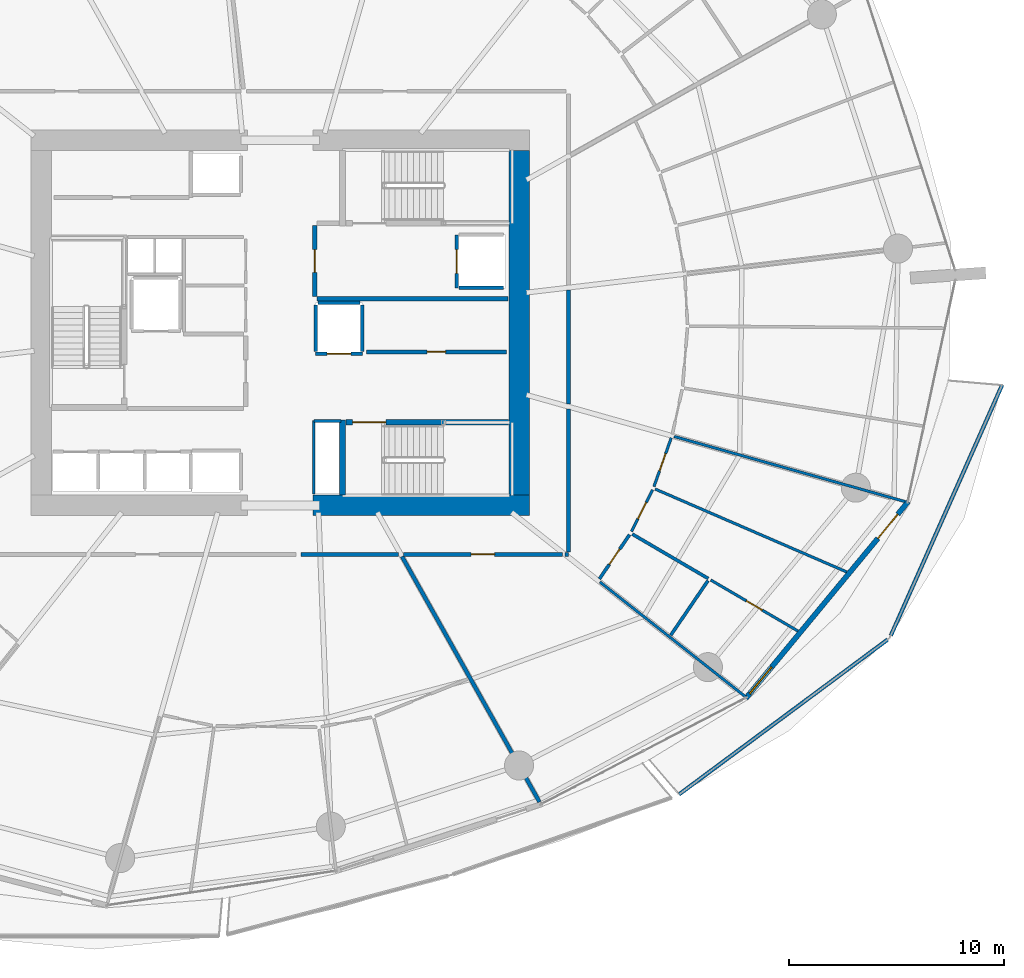
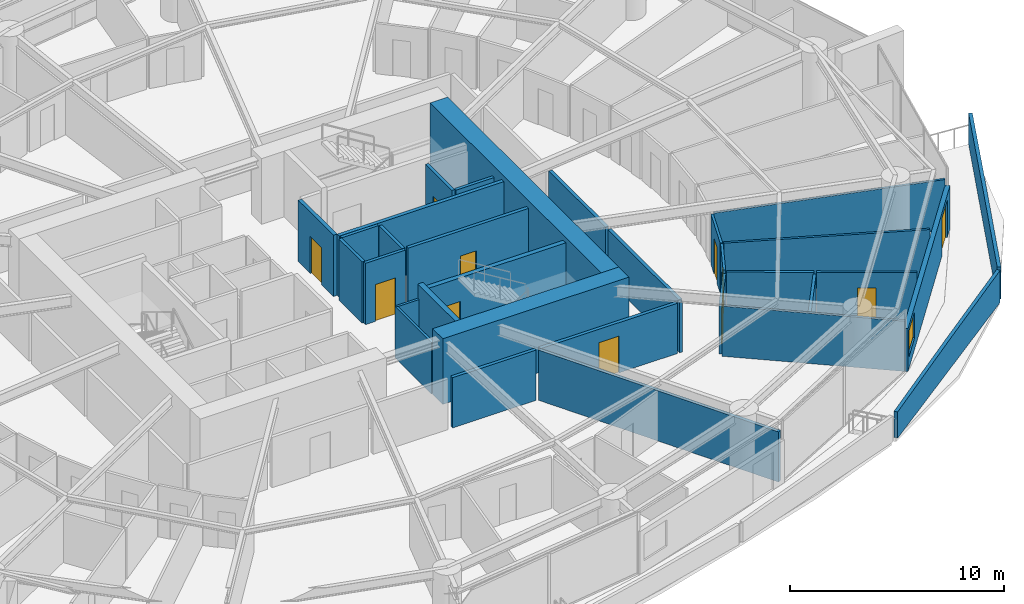
# One storey, part 21 of 31: 33 walls, 11 doors, 1 window, 12 openings.
"""IFC4 building model written with IfcOpenShell, lengths in metres."""

import ifcopenshell
import ifcopenshell.guid

model = None  # the IFC model being written
_history = None  # IfcOwnerHistory: only IFC2X3 demands one
_inside = {}  # id of a spatial element -> (the spatial element, [elements in it])
_under = {}  # id of a project, library or spatial element -> (it, [spatial elements below it])
_declared = {}  # id of a project -> (the project, [libraries it declares])
_typed = {}  # id of a type object -> (the type object, [elements of that type])
_made_of = {}  # id of a material, layer set ... -> (it, [elements and type objects made of it])


def new_model(schema):
    """Start an empty IFC model of exactly this schema.

    Asked for "IFC4X3", IfcOpenShell would pick the latest addendum, in which some entities
    have other attributes; the version numbers below select the first issue.
    IFC2X3 requires an IfcOwnerHistory on every rooted entity: one is made here for all.
    """
    global model, _history
    if schema == "IFC4X3":
        model = ifcopenshell.file(schema_version=(4, 3, 0, 0))
    else:
        model = ifcopenshell.file(schema=schema)
    _inside.clear()
    _under.clear()
    _declared.clear()
    _typed.clear()
    _made_of.clear()
    _history = None
    if model.schema == "IFC2X3":
        org = make("IfcOrganization", Name="unknown")
        user = make(
            "IfcPersonAndOrganization",
            ThePerson=make("IfcPerson", FamilyName="unknown"),
            TheOrganization=org,
        )
        app = make(
            "IfcApplication",
            ApplicationDeveloper=org,
            Version="unknown",
            ApplicationFullName="unknown",
            ApplicationIdentifier="unknown",
        )
        _history = make(
            "IfcOwnerHistory",
            OwningUser=user,
            OwningApplication=app,
            ChangeAction="ADDED",
            CreationDate=0,
        )
    return model


def make(cls, **values):
    """One entity of the class cls with the attributes given. An attribute that is None is left unset."""
    return model.create_entity(
        cls, **{name: value for name, value in values.items() if value is not None}
    )


def rooted(cls, **values):
    """An entity with a GlobalId (a new one), such as an element, a storey or a relation."""
    return make(cls, GlobalId=ifcopenshell.guid.new(), OwnerHistory=_history, **values)


def si_unit(unit_type, name, prefix=None):
    """IfcSIUnit, for example si_unit("LENGTHUNIT", "METRE", prefix="MILLI")."""
    return make("IfcSIUnit", UnitType=unit_type, Prefix=prefix, Name=name)


def assignment(units):
    """IfcUnitAssignment: the units of a project."""
    return None if units is None else make("IfcUnitAssignment", Units=units)


def point(xyz):
    """IfcCartesianPoint."""
    return None if xyz is None else make("IfcCartesianPoint", Coordinates=xyz)


def direction(xyz):
    """IfcDirection."""
    return None if xyz is None else make("IfcDirection", DirectionRatios=xyz)


def frame(location, z_axis=None, x_axis=None):
    """IfcAxis2Placement3D, a coordinate frame: its origin and axes. An axis left out is left unset."""
    return make(
        "IfcAxis2Placement3D",
        Location=point(location),
        Axis=direction(z_axis),
        RefDirection=direction(x_axis),
    )


def frame_2d(location, x_axis=None):
    """IfcAxis2Placement2D, a coordinate frame in the plane: its origin and x axis."""
    return make(
        "IfcAxis2Placement2D", Location=point(location), RefDirection=direction(x_axis)
    )


def origin():
    """The frame at (0, 0, 0) with its axes left unset."""
    return frame((0.0, 0.0, 0.0))


def place(relative_to, where):
    """IfcLocalPlacement: puts the frame where relative to a parent placement (None: the world)."""
    return make(
        "IfcLocalPlacement", PlacementRelTo=relative_to, RelativePlacement=where
    )


def context(
    kind, dimensions, precision=None, world=None, true_north=None, identifier=None
):
    """IfcGeometricRepresentationContext, for example the 3D "Model" context."""
    return make(
        "IfcGeometricRepresentationContext",
        ContextIdentifier=identifier,
        ContextType=kind,
        CoordinateSpaceDimension=dimensions,
        Precision=precision,
        WorldCoordinateSystem=world,
        TrueNorth=true_north,
    )


def subcontext(parent, identifier, kind, view, scale=None):
    """IfcGeometricRepresentationSubContext, for example "Body" below "Model"."""
    return make(
        "IfcGeometricRepresentationSubContext",
        ContextIdentifier=identifier,
        ContextType=kind,
        ParentContext=parent,
        TargetScale=scale,
        TargetView=view,
    )


def project(units=None, contexts=None):
    """IfcProject with its units and contexts."""
    return rooted(
        "IfcProject",
        Name="project",
        RepresentationContexts=contexts,
        UnitsInContext=assignment(units),
    )


def spatial(cls, under=None, at=None, **own):
    """A site, building, storey or space (cls), placed at a placement, below another one or the project."""
    s = rooted(cls, ObjectPlacement=at, **own)
    if under is not None:
        _under.setdefault(under.id(), (under, []))[1].append(s)
    return s


def polyline(points):
    """IfcPolyline through the points."""
    return make("IfcPolyline", Points=[point(p) for p in points])


def profile(cls, at=None, kind="AREA", **sizes):
    """A parametric profile (cls). Its sizes go by their IFC names, for example OverallWidth=200.0."""
    return make(cls, ProfileType=kind, Position=at, **sizes)


def rectangle(**sizes):
    """IfcRectangleProfileDef."""
    return profile("IfcRectangleProfileDef", **sizes)


def outline(outer, holes=None, kind="AREA"):
    """IfcArbitraryClosedProfileDef: a profile drawn as a closed curve; with holes, ...WithVoids."""
    if holes is None:
        return make("IfcArbitraryClosedProfileDef", ProfileType=kind, OuterCurve=outer)
    return make(
        "IfcArbitraryProfileDefWithVoids",
        ProfileType=kind,
        OuterCurve=outer,
        InnerCurves=holes,
    )


def extrude(swept, where, along, depth):
    """IfcExtrudedAreaSolid: the profile swept, set in the frame where, extruded along a direction by depth."""
    return make(
        "IfcExtrudedAreaSolid",
        SweptArea=swept,
        Position=where,
        ExtrudedDirection=direction(along),
        Depth=depth,
    )


def shape(context_of_items, identifier, shape_type, items):
    """IfcShapeRepresentation: the items that make up one representation, for example the "Body"."""
    return make(
        "IfcShapeRepresentation",
        ContextOfItems=context_of_items,
        RepresentationIdentifier=identifier,
        RepresentationType=shape_type,
        Items=items,
    )


def material(Name=None, Category=None):
    """IfcMaterial."""
    return make("IfcMaterial", Name=Name, Category=Category)


def layer(
    of_material, thickness, ventilated=None, Name=None, Category=None, Priority=None
):
    """IfcMaterialLayer: one layer of a wall or slab, of a material (None: an air gap)."""
    return make(
        "IfcMaterialLayer",
        Material=of_material,
        LayerThickness=thickness,
        IsVentilated=ventilated,
        Name=Name,
        Category=Category,
        Priority=Priority,
    )


def layer_set(layers, Name=None):
    """IfcMaterialLayerSet."""
    return make("IfcMaterialLayerSet", MaterialLayers=layers, LayerSetName=Name)


def made_of(thing, what):
    """Note that an element or type object is made of a material, layer set ...; save() writes the relation."""
    if what is not None:
        _made_of.setdefault(what.id(), (what, []))[1].append(thing)
    return thing


def type_object(cls, material=None, **own):
    """A type object (cls), such as IfcWallType, which elements share."""
    return made_of(rooted(cls, **own), material)


def element(
    cls,
    number,
    at=None,
    inside=None,
    cuts=None,
    type_object=None,
    material=None,
    context=None,
    identifier="Body",
    shape_type=None,
    held_by="IfcProductDefinitionShape",
    body=None,
    shapes=None,
    **own,
):
    """One element of the class cls, such as IfcWall. Its Tag is "e" and its number.

    at: its placement. inside: the storey or other place that contains it. cuts: it is an
    opening in that element (IfcRelVoidsElement). A single representation is given by context,
    identifier, shape_type and body (its items); several are given by shapes. held_by: the class
    of the entity that holds the representations. save() writes the other relations.
    """
    e = rooted(cls, Tag="e%d" % number, ObjectPlacement=at, **own)
    if body is not None:
        shapes = [shape(context, identifier, shape_type, body)]
    if shapes is not None:
        e.Representation = make(held_by, Representations=shapes)
    if inside is not None:
        _inside.setdefault(inside.id(), (inside, []))[1].append(e)
    if cuts is not None:
        rooted(
            "IfcRelVoidsElement", RelatingBuildingElement=cuts, RelatedOpeningElement=e
        )
    if type_object is not None:
        _typed.setdefault(type_object.id(), (type_object, []))[1].append(e)
    return made_of(e, material)


def fill(opening, filler):
    """IfcRelFillsElement: the door or window that sits in an opening."""
    return rooted(
        "IfcRelFillsElement",
        RelatingOpeningElement=opening,
        RelatedBuildingElement=filler,
    )


def aggregate(whole, parts):
    """IfcRelAggregates: a whole, such as a stair, and the parts it consists of."""
    return rooted("IfcRelAggregates", RelatingObject=whole, RelatedObjects=parts)


def save(model, path):
    """Write the relations noted so far, then the file.

    IfcRelAggregates (storeys below a building ...), IfcRelContainedInSpatialStructure (elements
    in a storey), IfcRelDefinesByType, IfcRelAssociatesMaterial and IfcRelDeclares: one each for
    every whole, place, type object, material and project.
    """
    for whole, parts in _under.values():
        aggregate(whole, parts)
    for where, things in _inside.values():
        rooted(
            "IfcRelContainedInSpatialStructure",
            RelatedElements=things,
            RelatingStructure=where,
        )
    for kind, things in _typed.values():
        rooted("IfcRelDefinesByType", RelatedObjects=things, RelatingType=kind)
    for what, things in _made_of.values():
        rooted("IfcRelAssociatesMaterial", RelatedObjects=things, RelatingMaterial=what)
    for by, libraries in _declared.values():
        rooted("IfcRelDeclares", RelatingContext=by, RelatedDefinitions=libraries)
    model.write(path)


model = new_model("IFC4")

# Units and contexts
model_context = context("Model", 3, precision=1e-05, world=origin(), true_north=direction((0.0, 1.0)))
body_context = subcontext(model_context, "Body", "Model", "MODEL_VIEW")
ifc_project = project(units=[si_unit("LENGTHUNIT", "METRE"), si_unit("AREAUNIT", "SQUARE_METRE"), si_unit("VOLUMEUNIT", "CUBIC_METRE"), si_unit("PLANEANGLEUNIT", "RADIAN"), si_unit("MASSUNIT", "GRAM", prefix="KILO")], contexts=[model_context])

# Site, building, storey
site_placement = place(None, origin())
site = spatial("IfcSite", under=ifc_project, at=site_placement, CompositionType="ELEMENT")
building_placement = place(site_placement, origin())
building = spatial("IfcBuilding", under=site, at=building_placement, Name="Kazma Halo Residences", CompositionType="ELEMENT")
storey_placement = place(building_placement, frame((0.0, 0.0, 60.14990234375)))
storey = spatial("IfcBuildingStorey", under=building, at=storey_placement, Name="L14", CompositionType="ELEMENT", Elevation=60.14990234375)

# Walls
ifc_material_1 = material(Name="White Concrete C50/60 Balustrade", Category="concrete")
ifc_layer_1 = layer(ifc_material_1, 0.179931640625)
ifc_layer_set_1 = layer_set([ifc_layer_1], Name="White Concrete C50/60 Balustrade")
wall_type_1 = type_object("IfcWallType", Name="WL-BAL-WAVE-180", PredefinedType="PARAPET", material=ifc_layer_set_1)
wall_1_placement = place(storey_placement, frame((66.93310546875, 20.1044921875, 0.0), z_axis=(0.0, 0.0, 1.0), x_axis=(0.802947764501, 0.596049400204, 0.0)))
element("IfcWall", 1, at=wall_1_placement, inside=storey, type_object=wall_type_1, Name="L14 white wave balustrade wall SE.1", PredefinedType="PARAPET", context=body_context, shape_type="SweptSolid", body=[
    extrude(outline(polyline([(0.0, 0.0), (12.0654296875, 0.0), (12.065673828125, 1.83203125), (6.03271484375, 1.696044921875), (0.0, 1.4970703125), (0.0, 0.0)])), frame((0.0, 0.08984375, 0.0), z_axis=(0.0, -1.0, 0.0), x_axis=(1.0, 0.0, 0.0)), (0.0, 0.0, 1.0), 0.179931640625),
])
wall_2_placement = place(storey_placement, frame((76.76611328125, 27.477294921875, 0.0), z_axis=(0.0, 0.0, 1.0), x_axis=(0.405953542593, 0.91389371442, 0.0)))
element("IfcWall", 2, at=wall_2_placement, inside=storey, type_object=wall_type_1, Name="L14 white wave balustrade wall SE.2", PredefinedType="PARAPET", context=body_context, shape_type="SweptSolid", body=[
    extrude(outline(polyline([(0.0, 0.0), (12.739990234375, 0.0), (12.739990234375, 1.756103515625), (6.3701171875, 1.85302734375), (0.0, 1.83203125), (0.0, 0.0)])), frame((0.0, 0.08984375, 0.0), z_axis=(0.0, -1.0, 0.0), x_axis=(1.0, 0.0, 0.0)), (0.0, 0.0, 1.0), 0.179931640625),
])
ifc_material_2 = material(Name="Concrete C80/95", Category="concrete")
ifc_layer_2 = layer(ifc_material_2, 0.949951171875)
ifc_layer_set_2 = layer_set([ifc_layer_2], Name="Concrete C80/95")
wall_type_2 = type_object("IfcWallType", Name="WL-CORE-950", PredefinedType="SHEAR", material=ifc_layer_set_2)
wall_3_placement = place(storey_placement, frame((49.949951171875, 33.52490234375, 0.0), z_axis=(0.0, 0.0, 1.0), x_axis=(1.0, 0.0, 0.0)))
element("IfcWall", 3, at=wall_3_placement, inside=storey, type_object=wall_type_2, Name="L14 central core shear wall SE", PredefinedType="SHEAR", context=body_context, shape_type="SweptSolid", body=[
    extrude(rectangle(XDim=10.050048828125, YDim=0.949951171875, at=frame_2d((5.02490234375, 0.0))), origin(), (0.0, 0.0, 1.0), 3.75),
])
wall_4_placement = place(storey_placement, frame((59.52490234375, 34.0, 0.0), z_axis=(0.0, 0.0, 1.0), x_axis=(0.0, 1.0, 0.0)))
element("IfcWall", 4, at=wall_4_placement, inside=storey, type_object=wall_type_2, Name="L14 central core shear wall E", PredefinedType="SHEAR", context=body_context, shape_type="SweptSolid", body=[
    extrude(rectangle(XDim=16.0, YDim=0.949951171875, at=frame_2d((8.0, 0.0))), origin(), (0.0, 0.0, 1.0), 3.75),
])
ifc_material_3 = material(Name="Concrete C60/75", Category="concrete")
ifc_layer_3 = layer(ifc_material_3, 0.280029296875)
ifc_layer_set_3 = layer_set([ifc_layer_3], Name="Concrete C60/75")
wall_type_3 = type_object("IfcWallType", Name="WL-CORE-ST-280", PredefinedType="SHEAR", material=ifc_layer_set_3)
wall_5_placement = place(storey_placement, frame((51.31005859375, 34.0, 0.0), z_axis=(0.0, 0.0, 1.0), x_axis=(0.0, 1.0, 0.0)))
element("IfcWall", 5, at=wall_5_placement, inside=storey, type_object=wall_type_3, Name="L14 stairwell bearing wall ST03-W", PredefinedType="SHEAR", context=body_context, shape_type="SweptSolid", body=[
    extrude(rectangle(XDim=3.5, YDim=0.280029296875, at=frame_2d((1.75, 0.0))), origin(), (0.0, 0.0, 1.0), 3.75),
])
ifc_material_4 = material(Name="Acoustic Twin-Stud Gypsum")
ifc_layer_4 = layer(ifc_material_4, 0.179931640625)
ifc_layer_set_4 = layer_set([ifc_layer_4], Name="Acoustic Twin-Stud Gypsum")
wall_type_4 = type_object("IfcWallType", Name="WL-DEM-180", PredefinedType="PARTITIONING", material=ifc_layer_set_4)
wall_6_placement = place(storey_placement, frame((54.073974609375, 31.154052734375, 0.0), z_axis=(0.0, 0.0, 1.0), x_axis=(0.48862612996, -0.872493269384, 0.0)))
element("IfcWall", 6, at=wall_6_placement, inside=storey, type_object=wall_type_4, Name="L14 apartment demising radial wall 12", PredefinedType="PARTITIONING", context=body_context, shape_type="SweptSolid", body=[
    extrude(rectangle(XDim=13.064697265625, YDim=0.179931640625, at=frame_2d((6.5322265625, 0.0))), origin(), (0.0, 0.0, 1.0), 2.8671875),
])
wall_7_placement = place(storey_placement, frame((49.392333984375, 31.25, 0.0), z_axis=(0.0, 0.0, 1.0), x_axis=(1.0, 0.0, 0.0)))
element("IfcWall", 7, at=wall_7_placement, inside=storey, type_object=wall_type_4, Name="L14 Apartment 2 inner wall 11", PredefinedType="PARTITIONING", context=body_context, shape_type="SweptSolid", body=[
    extrude(rectangle(XDim=4.508056640625, YDim=0.179931640625, at=frame_2d((2.25390625, 0.0))), origin(), (0.0, 0.0, 1.0), 2.8671875),
])

# Wall, opening, door
wall_8_placement = place(storey_placement, frame((54.140380859375, 31.25, 0.0), z_axis=(0.0, 0.0, 1.0), x_axis=(1.0, 0.0, 0.0)))
wall_8 = element("IfcWall", 8, at=wall_8_placement, inside=storey, type_object=wall_type_4, Name="L14 Apartment 3 entrance corridor wall", PredefinedType="PARTITIONING", context=body_context, shape_type="SweptSolid", body=[
    extrude(rectangle(XDim=7.3759765625, YDim=0.179931640625, at=frame_2d((3.68798828125, 0.0))), origin(), (0.0, 0.0, 1.0), 2.8671875),
])
opening_1_placement = place(wall_8_placement, frame((3.137939453125, 0.0, 0.0)))
opening_1 = element("IfcOpeningElement", 9, at=opening_1_placement, cuts=wall_8, Name="Opening DA-1100", PredefinedType="OPENING", context=body_context, shape_type="SweptSolid", body=[
    extrude(rectangle(XDim=1.10009765625, YDim=2.10009765625, at=frame_2d((0.550048828125, 1.050048828125))), frame((0.0, 0.099853515625, 0.0), z_axis=(0.0, -1.0, 0.0), x_axis=(1.0, 0.0, 0.0)), (0.0, 0.0, 1.0), 0.199951171875),
])
ifc_material_5 = material(Name="Acoustic Walnut Fire Leaf")
door_type_1 = type_object("IfcDoorType", Name="DR-FD60-1100", OperationType="NOTDEFINED", PredefinedType="DOOR", material=ifc_material_5)
door_1_placement = place(opening_1_placement, origin())
door_1 = element("IfcDoor", 10, at=door_1_placement, inside=storey, type_object=door_type_1, Name="L14 Apartment 3 entrance fire door", OperationType="SINGLE_SWING_RIGHT", OverallHeight=2.10009765625, OverallWidth=1.10009765625, PredefinedType="DOOR", context=body_context, shape_type="SweptSolid", body=[
    extrude(rectangle(XDim=1.10009765625, YDim=2.10009765625, at=frame_2d((0.550048828125, 1.050048828125))), frame((0.0, 0.02490234375, 0.0), z_axis=(0.0, -1.0, 0.0), x_axis=(1.0, 0.0, 0.0)), (0.0, 0.0, 1.0), 0.050048828125),
])
fill(opening_1, door_1)

# Walls
wall_9_placement = place(storey_placement, frame((61.63623046875, 31.25, 0.0), z_axis=(0.0, 0.0, 1.0), x_axis=(1.0, 0.0, 0.0)))
element("IfcWall", 11, at=wall_9_placement, inside=storey, type_object=wall_type_4, Name="L14 Apartment 3 inner wall 13", PredefinedType="PARTITIONING", context=body_context, shape_type="SweptSolid", body=[
    extrude(rectangle(XDim=0.163818359375, YDim=0.179931640625, at=frame_2d((0.08203125, 0.0))), origin(), (0.0, 0.0, 1.0), 2.8671875),
])
wall_10_placement = place(storey_placement, frame((61.800048828125, 31.3701171875, 0.0), z_axis=(0.0, 0.0, 1.0), x_axis=(0.0, 1.0, 0.0)))
element("IfcWall", 12, at=wall_10_placement, inside=storey, type_object=wall_type_4, Name="L14 Apartment 3 inner wall 13", PredefinedType="PARTITIONING", context=body_context, shape_type="SweptSolid", body=[
    extrude(rectangle(XDim=6.617919921875, YDim=0.179931640625, at=frame_2d((3.30908203125, 0.0))), origin(), (0.0, 0.0, 1.0), 2.8671875),
])
wall_11_placement = place(storey_placement, frame((61.800048828125, 38.22802734375, 0.0), z_axis=(0.0, 0.0, 1.0), x_axis=(0.0, 1.0, 0.0)))
element("IfcWall", 13, at=wall_11_placement, inside=storey, type_object=wall_type_4, Name="L14 Apartment 3 inner wall 14", PredefinedType="PARTITIONING", context=body_context, shape_type="SweptSolid", body=[
    extrude(rectangle(XDim=5.28515625, YDim=0.179931640625, at=frame_2d((2.642578125, 0.0))), origin(), (0.0, 0.0, 1.0), 2.8671875),
])

# Wall, openings, door, window
ifc_material_6 = material(Name="Insulated Pale-Metal Composite Wall")
ifc_layer_5 = layer(ifc_material_6, 0.239990234375)
ifc_layer_set_5 = layer_set([ifc_layer_5], Name="Insulated Pale-Metal Composite Wall")
wall_type_5 = type_object("IfcWallType", Name="WL-EXT-HOST-240", PredefinedType="SOLIDWALL", material=ifc_layer_set_5)
wall_12_placement = place(storey_placement, frame((70.033203125, 24.566650390625, 0.0), z_axis=(0.0, 0.0, 1.0), x_axis=(0.636674332663, 0.771132799281, 0.0)))
wall_12 = element("IfcWall", 14, at=wall_12_placement, inside=storey, type_object=wall_type_5, Name="L14 exterior terrace-access wall B14", PredefinedType="SOLIDWALL", context=body_context, shape_type="SweptSolid", body=[
    extrude(rectangle(XDim=11.851318359375, YDim=0.239990234375, at=frame_2d((5.92578125, 0.0))), origin(), (0.0, 0.0, 1.0), 2.4501953125),
])
opening_2_placement = place(wall_12_placement, frame((9.631103515625, 0.0, 0.0)))
opening_2 = element("IfcOpeningElement", 15, at=opening_2_placement, cuts=wall_12, Name="Opening DTR-1600", PredefinedType="OPENING", context=body_context, shape_type="SweptSolid", body=[
    extrude(rectangle(XDim=1.449951171875, YDim=2.14990234375, at=frame_2d((0.72509765625, 1.074951171875))), frame((0.0, 0.1298828125, 0.0), z_axis=(0.0, -1.0, 0.0), x_axis=(1.0, 0.0, 0.0)), (0.0, 0.0, 1.0), 0.260009765625),
])
opening_3_placement = place(wall_12_placement, frame((0.280029296875, 0.0, 0.64990234375)))
opening_3 = element("IfcOpeningElement", 16, at=opening_3_placement, cuts=wall_12, Name="Opening W-1800", PredefinedType="OPENING", context=body_context, shape_type="SweptSolid", body=[
    extrude(rectangle(XDim=1.60009765625, YDim=1.5, at=frame_2d((0.800048828125, 0.75))), frame((0.0, 0.1298828125, 0.0), z_axis=(0.0, -1.0, 0.0), x_axis=(1.0, 0.0, 0.0)), (0.0, 0.0, 1.0), 0.260009765625),
])
ifc_material_7 = material(Name="Aluminium AW-6063 T6 Double-Glazed Terrace Door", Category="aluminium")
door_type_2 = type_object("IfcDoorType", Name="DR-EXT-TERR-1600", OperationType="NOTDEFINED", PredefinedType="DOOR", material=ifc_material_7)
door_2_placement = place(opening_2_placement, origin())
door_2 = element("IfcDoor", 17, at=door_2_placement, inside=storey, type_object=door_type_2, Name="L14 B14 balcony terrace door", OperationType="DOUBLE_DOOR_SLIDING", OverallHeight=2.14990234375, OverallWidth=1.449951171875, PredefinedType="DOOR", context=body_context, shape_type="SweptSolid", body=[
    extrude(rectangle(XDim=1.449951171875, YDim=2.14990234375, at=frame_2d((0.72509765625, 1.074951171875))), frame((0.0, 0.02490234375, 0.0), z_axis=(0.0, -1.0, 0.0), x_axis=(1.0, 0.0, 0.0)), (0.0, 0.0, 1.0), 0.050048828125),
])
fill(opening_2, door_2)
ifc_material_8 = material(Name="Clear Triple-Silver Low-E Glass in Aluminium AW-6063 T6 Frame", Category="aluminium")
window_type = type_object("IfcWindowType", Name="WIN-RES-1800", PartitioningType="DOUBLE_PANEL_VERTICAL", PredefinedType="WINDOW", material=ifc_material_8)
window_placement = place(opening_3_placement, origin())
window = element("IfcWindow", 18, at=window_placement, inside=storey, type_object=window_type, Name="L14 B14 apartment window", OverallHeight=1.5, OverallWidth=1.60009765625, PartitioningType="SINGLE_PANEL", PredefinedType="WINDOW", context=body_context, shape_type="SweptSolid", body=[
    extrude(rectangle(XDim=1.60009765625, YDim=1.5, at=frame_2d((0.800048828125, 0.75))), frame((0.0, 0.030029296875, 0.0), z_axis=(0.0, -1.0, 0.0), x_axis=(1.0, 0.0, 0.0)), (0.0, 0.0, 1.0), 0.06005859375),
])
fill(opening_3, window)

# Wall, opening, door
ifc_material_9 = material(Name="Fire-Rated Blockwork Masonry", Category="masonry")
ifc_layer_6 = layer(ifc_material_9, 0.199951171875)
ifc_layer_set_6 = layer_set([ifc_layer_6], Name="Fire-Rated Blockwork Masonry")
wall_type_6 = type_object("IfcWallType", Name="WL-FLB-200", PredefinedType="PARTITIONING", material=ifc_layer_set_6)
wall_13_placement = place(storey_placement, frame((56.6201171875, 46.080078125, 0.0), z_axis=(0.0, 0.0, 1.0), x_axis=(0.0, -1.0, 0.0)))
wall_13 = element("IfcWall", 19, at=wall_13_placement, inside=storey, type_object=wall_type_6, Name="L14 lift shaft FL-02 front wall", PredefinedType="PARTITIONING", context=body_context, shape_type="SweptSolid", body=[
    extrude(rectangle(XDim=2.4599609375, YDim=0.159912109375, at=frame_2d((1.22998046875, 0.0))), origin(), (0.0, 0.0, 1.0), 3.5),
])
opening_4_placement = place(wall_13_placement, frame((0.679931640625, 0.0, 0.0)))
opening_4 = element("IfcOpeningElement", 20, at=opening_4_placement, cuts=wall_13, Name="Opening LD-FL-02", PredefinedType="OPENING", context=body_context, shape_type="SweptSolid", body=[
    extrude(rectangle(XDim=1.10009765625, YDim=2.10009765625, at=frame_2d((0.550048828125, 1.050048828125))), frame((0.0, 0.08984375, 0.0), z_axis=(0.0, -1.0, 0.0), x_axis=(1.0, 0.0, 0.0)), (0.0, 0.0, 1.0), 0.179931640625),
])
ifc_material_10 = material(Name="Stainless Steel Fire-Rated", Category="steel")
door_type_3 = type_object("IfcDoorType", Name="DR-LIFT-SLD-1100", OperationType="DOUBLE_DOOR_SLIDING", PredefinedType="DOOR", material=ifc_material_10)
door_3_placement = place(opening_4_placement, origin())
door_3 = element("IfcDoor", 21, at=door_3_placement, inside=storey, type_object=door_type_3, Name="L14 lift FL-02 sliding landing door", OperationType="DOUBLE_DOOR_SLIDING", OverallHeight=2.10009765625, OverallWidth=1.10009765625, PredefinedType="DOOR", context=body_context, shape_type="SweptSolid", body=[
    extrude(rectangle(XDim=1.10009765625, YDim=2.10009765625, at=frame_2d((0.550048828125, 1.050048828125))), frame((0.0, 0.02490234375, 0.0), z_axis=(0.0, -1.0, 0.0), x_axis=(1.0, 0.0, 0.0)), (0.0, 0.0, 1.0), 0.050048828125),
])
fill(opening_4, door_3)

# Wall
wall_14_placement = place(storey_placement, frame((56.719970703125, 43.6201171875, 0.0), z_axis=(0.0, 0.0, 1.0), x_axis=(1.0, 0.0, 0.0)))
element("IfcWall", 22, at=wall_14_placement, inside=storey, type_object=wall_type_6, Name="L14 lift shaft FL-02 side wall S", PredefinedType="PARTITIONING", context=body_context, shape_type="SweptSolid", body=[
    extrude(rectangle(XDim=2.06005859375, YDim=0.159912109375, at=frame_2d((1.030029296875, 0.0))), origin(), (0.0, 0.0, 1.0), 3.5),
])

# Wall, opening, door
wall_15_placement = place(storey_placement, frame((52.22998046875, 40.570068359375, 0.0), z_axis=(0.0, 0.0, 1.0), x_axis=(-1.0, 0.0, 0.0)))
wall_15 = element("IfcWall", 23, at=wall_15_placement, inside=storey, type_object=wall_type_6, Name="L14 lift shaft SV-01 front wall", PredefinedType="PARTITIONING", context=body_context, shape_type="SweptSolid", body=[
    extrude(rectangle(XDim=2.159912109375, YDim=0.159912109375, at=frame_2d((1.080078125, 0.0))), origin(), (0.0, 0.0, 1.0), 3.5),
])
opening_5_placement = place(wall_15_placement, frame((0.530029296875, 0.0, 0.0)))
opening_5 = element("IfcOpeningElement", 24, at=opening_5_placement, cuts=wall_15, Name="Opening LD-SV-01", PredefinedType="OPENING", context=body_context, shape_type="SweptSolid", body=[
    extrude(rectangle(XDim=1.10009765625, YDim=2.10009765625, at=frame_2d((0.550048828125, 1.050048828125))), frame((0.0, 0.08984375, 0.0), z_axis=(0.0, -1.0, 0.0), x_axis=(1.0, 0.0, 0.0)), (0.0, 0.0, 1.0), 0.179931640625),
])
door_4_placement = place(opening_5_placement, origin())
door_4 = element("IfcDoor", 25, at=door_4_placement, inside=storey, type_object=door_type_3, Name="L14 lift SV-01 sliding landing door", OperationType="DOUBLE_DOOR_SLIDING", OverallHeight=2.10009765625, OverallWidth=1.10009765625, PredefinedType="DOOR", context=body_context, shape_type="SweptSolid", body=[
    extrude(rectangle(XDim=1.10009765625, YDim=2.10009765625, at=frame_2d((0.550048828125, 1.050048828125))), frame((0.0, 0.02490234375, 0.0), z_axis=(0.0, -1.0, 0.0), x_axis=(1.0, 0.0, 0.0)), (0.0, 0.0, 1.0), 0.050048828125),
])
fill(opening_5, door_4)

# Walls
for number, where, z_axis, x_axis, name in (
    (26, (52.22998046875, 40.669921875, 0.0), (0.0, 0.0, 1.0), (0.0, 1.0, 0.0), "L14 lift shaft SV-01 side wall E"),
    (27, (50.070068359375, 40.669921875, 0.0), (0.0, 0.0, 1.0), (0.0, 1.0, 0.0), "L14 lift shaft SV-01 side wall W"),
):
    element("IfcWall", number, at=place(storey_placement, frame(where, z_axis=z_axis, x_axis=x_axis)), inside=storey, type_object=wall_type_6, Name=name, PredefinedType="PARTITIONING", context=body_context, shape_type="SweptSolid", body=[
        extrude(rectangle(XDim=2.16015625, YDim=0.159912109375, at=frame_2d((1.080078125, 0.0))), origin(), (0.0, 0.0, 1.0), 3.5),
    ])
wall_16_placement = place(storey_placement, frame((50.169921875, 42.929931640625, 0.0), z_axis=(0.0, 0.0, 1.0), x_axis=(1.0, 0.0, 0.0)))
element("IfcWall", 28, at=wall_16_placement, inside=storey, type_object=wall_type_6, Name="L14 lift shaft SV-01 side wall N", PredefinedType="PARTITIONING", context=body_context, shape_type="SweptSolid", body=[
    extrude(rectangle(XDim=1.9599609375, YDim=0.159912109375, at=frame_2d((0.97998046875, 0.0))), origin(), (0.0, 0.0, 1.0), 3.5),
])

# Wall, opening, door
wall_17_placement = place(storey_placement, frame((52.419921875, 40.64990234375, 0.0), z_axis=(0.0, 0.0, 1.0), x_axis=(1.0, 0.0, 0.0)))
wall_17 = element("IfcWall", 29, at=wall_17_placement, inside=storey, type_object=wall_type_6, Name="L14 core east reserve wall", PredefinedType="PARTITIONING", context=body_context, shape_type="SweptSolid", body=[
    extrude(rectangle(XDim=6.5, YDim=0.179931640625, at=frame_2d((3.25, 0.0))), origin(), (0.0, 0.0, 1.0), 3.5),
])
opening_6_placement = place(wall_17_placement, frame((2.824951171875, 0.0, 0.0)))
opening_6 = element("IfcOpeningElement", 30, at=opening_6_placement, cuts=wall_17, Name="Opening DS-850", PredefinedType="OPENING", context=body_context, shape_type="SweptSolid", body=[
    extrude(rectangle(XDim=0.85009765625, YDim=2.06005859375, at=frame_2d((0.425048828125, 1.030029296875))), frame((0.0, 0.099853515625, 0.0), z_axis=(0.0, -1.0, 0.0), x_axis=(1.0, 0.0, 0.0)), (0.0, 0.0, 1.0), 0.199951171875),
])
ifc_material_11 = material(Name="Painted Steel Access Leaf", Category="steel")
door_type_4 = type_object("IfcDoorType", Name="DR-SVC-850", OperationType="NOTDEFINED", PredefinedType="DOOR", material=ifc_material_11)
door_5_placement = place(opening_6_placement, origin())
door_5 = element("IfcDoor", 31, at=door_5_placement, inside=storey, type_object=door_type_4, Name="L14 core east reserve door", OperationType="SINGLE_SWING_LEFT", OverallHeight=2.06005859375, OverallWidth=0.85009765625, PredefinedType="DOOR", context=body_context, shape_type="SweptSolid", body=[
    extrude(rectangle(XDim=0.85009765625, YDim=2.06005859375, at=frame_2d((0.425048828125, 1.030029296875))), frame((0.0, 0.02490234375, 0.0), z_axis=(0.0, -1.0, 0.0), x_axis=(1.0, 0.0, 0.0)), (0.0, 0.0, 1.0), 0.050048828125),
])
fill(opening_6, door_5)

# Wall
wall_18_placement = place(storey_placement, frame((50.1201171875, 43.1201171875, 0.0), z_axis=(0.0, 0.0, 1.0), x_axis=(1.0, 0.0, 0.0)))
element("IfcWall", 32, at=wall_18_placement, inside=storey, type_object=wall_type_6, Name="L14 east firefighting lobby south smoke wall", PredefinedType="PARTITIONING", context=body_context, shape_type="SweptSolid", body=[
    extrude(rectangle(XDim=8.8798828125, YDim=0.199951171875, at=frame_2d((4.43994140625, 0.0))), origin(), (0.0, 0.0, 1.0), 3.5),
])

# Wall, opening, door
wall_19_placement = place(storey_placement, frame((50.02001953125, 43.219970703125, 0.0), z_axis=(0.0, 0.0, 1.0), x_axis=(0.0, 1.0, 0.0)))
wall_19 = element("IfcWall", 33, at=wall_19_placement, inside=storey, type_object=wall_type_6, Name="L14 east firefighting lobby smoke wall", PredefinedType="PARTITIONING", context=body_context, shape_type="SweptSolid", body=[
    extrude(rectangle(XDim=3.300048828125, YDim=0.199951171875, at=frame_2d((1.64990234375, 0.0))), origin(), (0.0, 0.0, 1.0), 3.5),
])
opening_7_placement = place(wall_19_placement, frame((1.125, 0.0, 0.0)))
opening_7 = element("IfcOpeningElement", 34, at=opening_7_placement, cuts=wall_19, Name="Opening D-FLE", PredefinedType="OPENING", context=body_context, shape_type="SweptSolid", body=[
    extrude(rectangle(XDim=1.050048828125, YDim=2.10009765625, at=frame_2d((0.52490234375, 1.050048828125))), frame((0.0, 0.10986328125, 0.0), z_axis=(0.0, -1.0, 0.0), x_axis=(1.0, 0.0, 0.0)), (0.0, 0.0, 1.0), 0.219970703125),
])
ifc_material_12 = material(Name="Fire-Rated Steel Leaf", Category="steel")
door_type_5 = type_object("IfcDoorType", Name="DR-FD90-1050", OperationType="NOTDEFINED", PredefinedType="DOOR", material=ifc_material_12)
door_6_placement = place(opening_7_placement, origin())
door_6 = element("IfcDoor", 35, at=door_6_placement, inside=storey, type_object=door_type_5, Name="L14 east firefighting lobby smoke door", OperationType="SINGLE_SWING_RIGHT", OverallHeight=2.10009765625, OverallWidth=1.050048828125, PredefinedType="DOOR", context=body_context, shape_type="SweptSolid", body=[
    extrude(rectangle(XDim=1.050048828125, YDim=2.10009765625, at=frame_2d((0.52490234375, 1.050048828125))), frame((0.0, 0.02490234375, 0.0), z_axis=(0.0, -1.0, 0.0), x_axis=(1.0, 0.0, 0.0)), (0.0, 0.0, 1.0), 0.050048828125),
])
fill(opening_7, door_6)

# Walls
ifc_material_13 = material(Name="Gypsum Plasterboard Partition")
ifc_layer_7 = layer(ifc_material_13, 0.125)
ifc_layer_set_7 = layer_set([ifc_layer_7], Name="Gypsum Plasterboard Partition")
wall_type_7 = type_object("IfcWallType", Name="WL-PART-125", PredefinedType="PARTITIONING", material=ifc_layer_set_7)
wall_20_placement = place(storey_placement, frame((49.97998046875, 34.06005859375, 0.0), z_axis=(0.0, 0.0, 1.0), x_axis=(0.0, 1.0, 0.0)))
element("IfcWall", 36, at=wall_20_placement, inside=storey, type_object=wall_type_7, Name="L14 standpipe riser wall", PredefinedType="PARTITIONING", context=body_context, shape_type="SweptSolid", body=[
    extrude(rectangle(XDim=3.39990234375, YDim=0.125, at=frame_2d((1.699951171875, 0.0))), origin(), (0.0, 0.0, 1.0), 2.940185546875),
])
wall_21_placement = place(storey_placement, frame((49.97998046875, 37.43994140625, 0.0), z_axis=(0.0, 0.0, 1.0), x_axis=(1.0, 0.0, 0.0)))
element("IfcWall", 37, at=wall_21_placement, inside=storey, type_object=wall_type_7, Name="L14 standpipe riser north wall", PredefinedType="PARTITIONING", context=body_context, shape_type="SweptSolid", body=[
    extrude(rectangle(XDim=1.260009765625, YDim=0.125, at=frame_2d((0.6298828125, 0.0))), origin(), (0.0, 0.0, 1.0), 2.940185546875),
])
wall_22_placement = place(storey_placement, frame((63.260986328125, 29.96923828125, 0.0), z_axis=(0.0, 0.0, 1.0), x_axis=(0.78531804627, -0.619092534443, 0.0)))
element("IfcWall", 38, at=wall_22_placement, inside=storey, type_object=wall_type_7, Name="L14 Apartment 3 radial partition 13", PredefinedType="PARTITIONING", context=body_context, shape_type="SweptSolid", body=[
    extrude(rectangle(XDim=8.63916015625, YDim=0.125, at=frame_2d((4.319580078125, 0.0))), origin(), (0.0, 0.0, 1.0), 2.8671875),
])

# Wall, opening, door
wall_23_placement = place(storey_placement, frame((68.406982421875, 30.060791015625, 0.0), z_axis=(0.0, 0.0, 1.0), x_axis=(0.863132370473, -0.504977733214, 0.0)))
wall_23 = element("IfcWall", 39, at=wall_23_placement, inside=storey, type_object=wall_type_7, Name="L14 Apartment 3 Household Store Room partition wall", PredefinedType="PARTITIONING", context=body_context, shape_type="SweptSolid", body=[
    extrude(rectangle(XDim=4.689208984375, YDim=0.125, at=frame_2d((2.3447265625, 0.0))), origin(), (0.0, 0.0, 1.0), 2.940185546875),
])
opening_8_placement = place(wall_23_placement, frame((1.91943359375, 0.0, 0.0)))
opening_8 = element("IfcOpeningElement", 40, at=opening_8_placement, cuts=wall_23, Name="Opening DB-900", PredefinedType="OPENING", context=body_context, shape_type="SweptSolid", body=[
    extrude(rectangle(XDim=0.85009765625, YDim=2.06005859375, at=frame_2d((0.425048828125, 1.030029296875))), frame((0.0, 0.072509765625, 0.0), z_axis=(0.0, -1.0, 0.0), x_axis=(1.0, 0.0, 0.0)), (0.0, 0.0, 1.0), 0.14501953125),
])
ifc_material_14 = material(Name="Moisture-Sealed Timber Leaf", Category="wood")
door_type_6 = type_object("IfcDoorType", Name="DR-BTH-900", OperationType="NOTDEFINED", PredefinedType="DOOR", material=ifc_material_14)
door_7_placement = place(opening_8_placement, origin())
door_7 = element("IfcDoor", 41, at=door_7_placement, inside=storey, type_object=door_type_6, Name="L14 Apartment 3 Household Store Room door", OperationType="SINGLE_SWING_LEFT", OverallHeight=2.06005859375, OverallWidth=0.85009765625, PredefinedType="DOOR", context=body_context, shape_type="SweptSolid", body=[
    extrude(rectangle(XDim=0.85009765625, YDim=2.06005859375, at=frame_2d((0.425048828125, 1.030029296875))), frame((0.0, 0.02490234375, 0.0), z_axis=(0.0, -1.0, 0.0), x_axis=(1.0, 0.0, 0.0)), (0.0, 0.0, 1.0), 0.050048828125),
])
fill(opening_8, door_7)

# Wall
wall_24_placement = place(storey_placement, frame((65.824951171875, 34.284912109375, 0.0), z_axis=(0.0, 0.0, 1.0), x_axis=(0.917721842762, -0.39722363892, 0.0)))
element("IfcWall", 42, at=wall_24_placement, inside=storey, type_object=wall_type_7, Name="L14 Apartment 3 suite divider 13", PredefinedType="PARTITIONING", context=body_context, shape_type="SweptSolid", body=[
    extrude(rectangle(XDim=9.6943359375, YDim=0.125, at=frame_2d((4.84716796875, 0.0))), origin(), (0.0, 0.0, 1.0), 2.940185546875),
])

# Wall, opening, door
wall_25_placement = place(storey_placement, frame((64.7275390625, 32.3173828125, 0.0), z_axis=(0.0, 0.0, 1.0), x_axis=(0.451897802863, 0.892069714634, 0.0)))
wall_25 = element("IfcWall", 43, at=wall_25_placement, inside=storey, type_object=wall_type_7, Name="L14 Apartment 3 Gourmet Kitchen hall wall", PredefinedType="PARTITIONING", context=body_context, shape_type="SweptSolid", body=[
    extrude(rectangle(XDim=2.165283203125, YDim=0.125, at=frame_2d((1.08251953125, 0.0))), origin(), (0.0, 0.0, 1.0), 2.940185546875),
])
opening_9_placement = place(wall_25_placement, frame((0.65771484375, 0.0, 0.0)))
opening_9 = element("IfcOpeningElement", 44, at=opening_9_placement, cuts=wall_25, Name="Opening DB-900", PredefinedType="OPENING", context=body_context, shape_type="SweptSolid", body=[
    extrude(rectangle(XDim=0.85009765625, YDim=2.06005859375, at=frame_2d((0.425048828125, 1.030029296875))), frame((0.0, 0.072509765625, 0.0), z_axis=(0.0, -1.0, 0.0), x_axis=(1.0, 0.0, 0.0)), (0.0, 0.0, 1.0), 0.14501953125),
])
door_8_placement = place(opening_9_placement, origin())
door_8 = element("IfcDoor", 45, at=door_8_placement, inside=storey, type_object=door_type_6, Name="L14 Apartment 3 Gourmet Kitchen door", OperationType="SINGLE_SWING_RIGHT", OverallHeight=2.06005859375, OverallWidth=0.85009765625, PredefinedType="DOOR", context=body_context, shape_type="SweptSolid", body=[
    extrude(rectangle(XDim=0.85009765625, YDim=2.06005859375, at=frame_2d((0.425048828125, 1.030029296875))), frame((0.0, 0.02490234375, 0.0), z_axis=(0.0, -1.0, 0.0), x_axis=(1.0, 0.0, 0.0)), (0.0, 0.0, 1.0), 0.050048828125),
])
fill(opening_9, door_8)

wall_26_placement = place(storey_placement, frame((65.76904296875, 34.39599609375, 0.0), z_axis=(0.0, 0.0, 1.0), x_axis=(0.335079884685, 0.942189721277, 0.0)))
wall_26 = element("IfcWall", 46, at=wall_26_placement, inside=storey, type_object=wall_type_7, Name="L14 Apartment 3 Primary Bedroom hall wall", PredefinedType="PARTITIONING", context=body_context, shape_type="SweptSolid", body=[
    extrude(rectangle(XDim=2.400634765625, YDim=0.125, at=frame_2d((1.2001953125, 0.0))), origin(), (0.0, 0.0, 1.0), 2.8671875),
])
opening_10_placement = place(wall_26_placement, frame((0.775390625, 0.0, 0.0)))
opening_10 = element("IfcOpeningElement", 47, at=opening_10_placement, cuts=wall_26, Name="Opening DB-900", PredefinedType="OPENING", context=body_context, shape_type="SweptSolid", body=[
    extrude(rectangle(XDim=0.85009765625, YDim=2.06005859375, at=frame_2d((0.425048828125, 1.030029296875))), frame((0.0, 0.072509765625, 0.0), z_axis=(0.0, -1.0, 0.0), x_axis=(1.0, 0.0, 0.0)), (0.0, 0.0, 1.0), 0.14501953125),
])
door_9_placement = place(opening_10_placement, origin())
door_9 = element("IfcDoor", 48, at=door_9_placement, inside=storey, type_object=door_type_6, Name="L14 Apartment 3 Primary Bedroom door", OperationType="SINGLE_SWING_LEFT", OverallHeight=2.06005859375, OverallWidth=0.85009765625, PredefinedType="DOOR", context=body_context, shape_type="SweptSolid", body=[
    extrude(rectangle(XDim=0.85009765625, YDim=2.06005859375, at=frame_2d((0.425048828125, 1.030029296875))), frame((0.0, 0.02490234375, 0.0), z_axis=(0.0, -1.0, 0.0), x_axis=(1.0, 0.0, 0.0)), (0.0, 0.0, 1.0), 0.050048828125),
])
fill(opening_10, door_9)

# Wall
wall_27_placement = place(storey_placement, frame((66.703369140625, 36.72509765625, 0.0), z_axis=(0.0, 0.0, 1.0), x_axis=(0.962456868727, -0.271434662195, 0.0)))
element("IfcWall", 49, at=wall_27_placement, inside=storey, type_object=wall_type_7, Name="L14 Apartment 3 radial partition 14", PredefinedType="PARTITIONING", context=body_context, shape_type="SweptSolid", body=[
    extrude(rectangle(XDim=11.141357421875, YDim=0.125, at=frame_2d((5.57080078125, 0.0))), origin(), (0.0, 0.0, 1.0), 2.8671875),
])

# Wall, opening, door
ifc_material_15 = material(Name="Concrete C50/60", Category="concrete")
ifc_layer_8 = layer(ifc_material_15, 0.25)
ifc_layer_set_8 = layer_set([ifc_layer_8], Name="Concrete C50/60")
wall_type_8 = type_object("IfcWallType", Name="WL-SHF-250", PredefinedType="SOLIDWALL", material=ifc_layer_set_8)
wall_28_placement = place(storey_placement, frame((51.47998046875, 37.3798828125, 0.0), z_axis=(0.0, 0.0, 1.0), x_axis=(1.0, 0.0, 0.0)))
wall_28 = element("IfcWall", 50, at=wall_28_placement, inside=storey, type_object=wall_type_8, Name="L14 exit stair ST-03 enclosure wall", PredefinedType="SOLIDWALL", context=body_context, shape_type="SweptSolid", body=[
    extrude(rectangle(XDim=7.5400390625, YDim=0.25, at=frame_2d((3.77001953125, 0.0))), origin(), (0.0, 0.0, 1.0), 3.5),
])
opening_11_placement = place(wall_28_placement, frame((0.300048828125, 0.0, 0.0)))
opening_11 = element("IfcOpeningElement", 51, at=opening_11_placement, cuts=wall_28, Name="Opening D-ST3", PredefinedType="OPENING", context=body_context, shape_type="SweptSolid", body=[
    extrude(rectangle(XDim=1.550048828125, YDim=2.14990234375, at=frame_2d((0.77490234375, 1.074951171875))), frame((0.0, 0.135009765625, 0.0), z_axis=(0.0, -1.0, 0.0), x_axis=(1.0, 0.0, 0.0)), (0.0, 0.0, 1.0), 0.27001953125),
])
ifc_material_16 = material(Name="Fire-Rated Double Steel Leaf", Category="steel")
door_type_7 = type_object("IfcDoorType", Name="DR-FD90-1550", OperationType="NOTDEFINED", PredefinedType="DOOR", material=ifc_material_16)
door_10_placement = place(opening_11_placement, origin())
door_10 = element("IfcDoor", 52, at=door_10_placement, inside=storey, type_object=door_type_7, Name="L14 exit stair ST-03 fire door", OperationType="DOUBLE_DOOR_SINGLE_SWING", OverallHeight=2.14990234375, OverallWidth=1.550048828125, PredefinedType="DOOR", context=body_context, shape_type="SweptSolid", body=[
    extrude(rectangle(XDim=1.550048828125, YDim=2.14990234375, at=frame_2d((0.77490234375, 1.074951171875))), frame((0.0, 0.02490234375, 0.0), z_axis=(0.0, -1.0, 0.0), x_axis=(1.0, 0.0, 0.0)), (0.0, 0.0, 1.0), 0.050048828125),
])
fill(opening_11, door_10)

ifc_material_17 = material(Name="Moisture-Resistant Gypsum")
ifc_layer_9 = layer(ifc_material_17, 0.14990234375)
ifc_layer_set_9 = layer_set([ifc_layer_9], Name="Moisture-Resistant Gypsum")
wall_type_9 = type_object("IfcWallType", Name="WL-WET-150", PredefinedType="PARTITIONING", material=ifc_layer_set_9)
wall_29_placement = place(storey_placement, frame((63.23876953125, 30.11376953125, 0.0), z_axis=(0.0, 0.0, 1.0), x_axis=(0.563437614894, 0.826158613174, 0.0)))
wall_29 = element("IfcWall", 53, at=wall_29_placement, inside=storey, type_object=wall_type_9, Name="L14 Apartment 3 Guest Bathroom hall wall", PredefinedType="PARTITIONING", context=body_context, shape_type="SweptSolid", body=[
    extrude(rectangle(XDim=2.480224609375, YDim=0.14990234375, at=frame_2d((1.240234375, 0.0))), origin(), (0.0, 0.0, 1.0), 2.8671875),
])
opening_12_placement = place(wall_29_placement, frame((0.815185546875, 0.0, 0.0)))
opening_12 = element("IfcOpeningElement", 54, at=opening_12_placement, cuts=wall_29, Name="Opening DB-900", PredefinedType="OPENING", context=body_context, shape_type="SweptSolid", body=[
    extrude(rectangle(XDim=0.85009765625, YDim=2.06005859375, at=frame_2d((0.425048828125, 1.030029296875))), frame((0.0, 0.0849609375, 0.0), z_axis=(0.0, -1.0, 0.0), x_axis=(1.0, 0.0, 0.0)), (0.0, 0.0, 1.0), 0.169921875),
])
door_11_placement = place(opening_12_placement, origin())
door_11 = element("IfcDoor", 55, at=door_11_placement, inside=storey, type_object=door_type_6, Name="L14 Apartment 3 Guest Bathroom door", OperationType="SINGLE_SWING_RIGHT", OverallHeight=2.06005859375, OverallWidth=0.85009765625, PredefinedType="DOOR", context=body_context, shape_type="SweptSolid", body=[
    extrude(rectangle(XDim=0.85009765625, YDim=2.06005859375, at=frame_2d((0.425048828125, 1.030029296875))), frame((0.0, 0.02490234375, 0.0), z_axis=(0.0, -1.0, 0.0), x_axis=(1.0, 0.0, 0.0)), (0.0, 0.0, 1.0), 0.050048828125),
])
fill(opening_12, door_11)

# Walls
wall_30_placement = place(storey_placement, frame((66.552978515625, 27.501220703125, 0.0), z_axis=(0.0, 0.0, 1.0), x_axis=(0.563388764178, 0.826191927095, 0.0)))
element("IfcWall", 56, at=wall_30_placement, inside=storey, type_object=wall_type_9, Name="L14 Apartment 3 Guest Bathroom back wall", PredefinedType="PARTITIONING", context=body_context, shape_type="SweptSolid", body=[
    extrude(rectangle(XDim=3.06298828125, YDim=0.14990234375, at=frame_2d((1.531494140625, 0.0))), origin(), (0.0, 0.0, 1.0), 2.8671875),
])
wall_31_placement = place(storey_placement, frame((64.7646484375, 32.19189453125, 0.0), z_axis=(0.0, 0.0, 1.0), x_axis=(0.863128698129, -0.504984010109, 0.0)))
element("IfcWall", 57, at=wall_31_placement, inside=storey, type_object=wall_type_9, Name="L14 Apartment 3 Guest Bathroom side wall", PredefinedType="PARTITIONING", context=body_context, shape_type="SweptSolid", body=[
    extrude(rectangle(XDim=4.090087890625, YDim=0.14990234375, at=frame_2d((2.044921875, 0.0))), origin(), (0.0, 0.0, 1.0), 2.940185546875),
])

save(model, "model.ifc")
